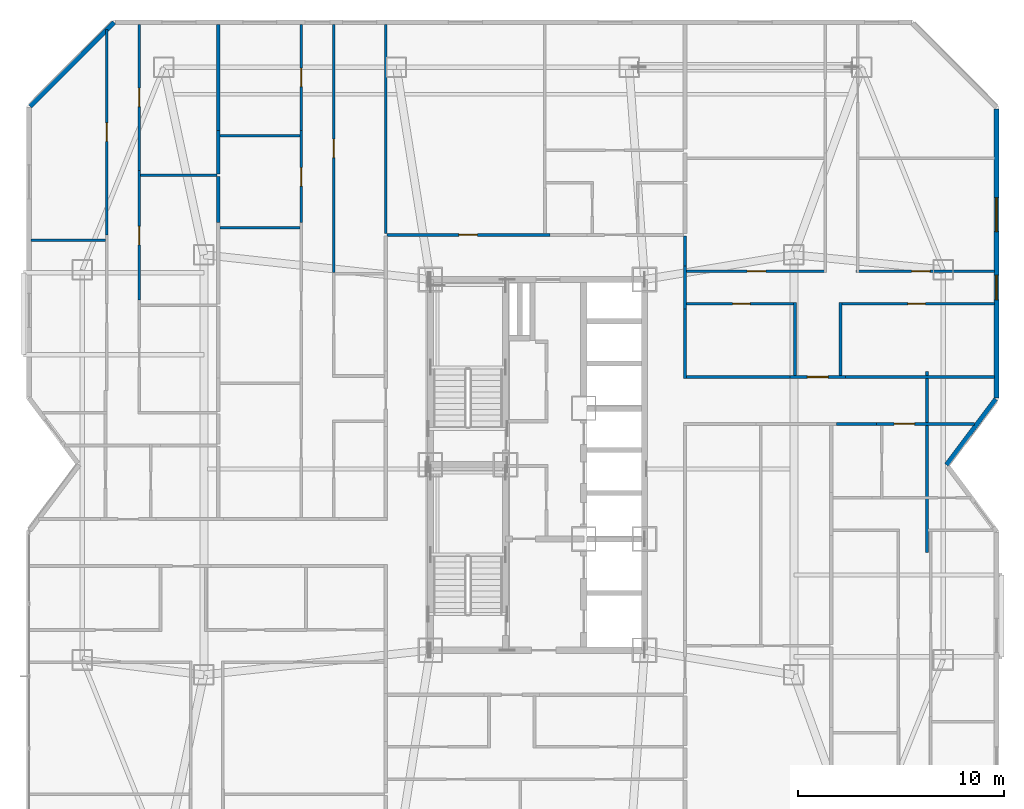
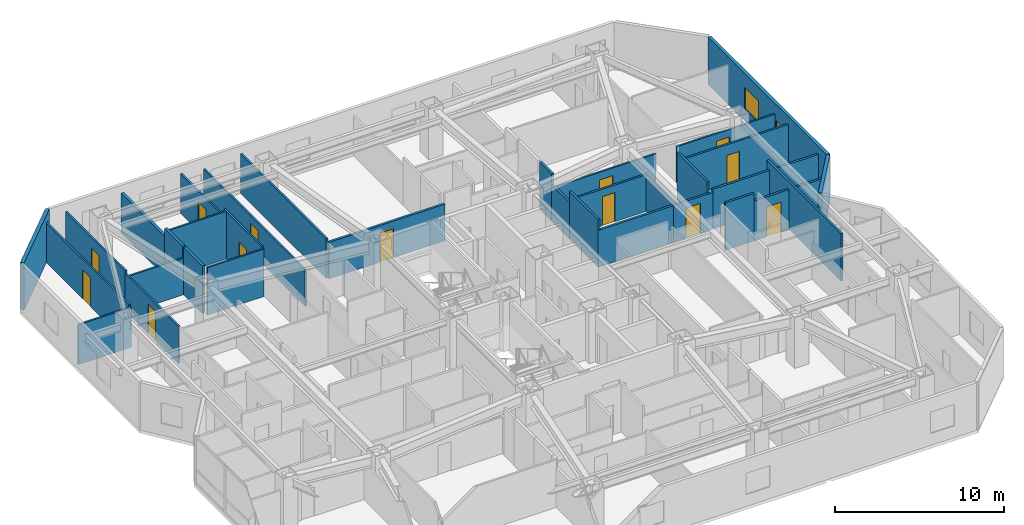
# One storey, part 15 of 19: 33 walls, 13 doors, 2 windows, 15 openings.
"""IFC4 building model written with IfcOpenShell, lengths in metres."""

from ifc_helpers import new_model, si_unit, direction, frame, frame_2d, origin, place, context, subcontext, project, spatial, rectangle, extrude, material, layer, layer_set, type_object, element, fill, save


model = new_model("IFC4")

# Units and contexts
model_context = context("Model", 3, precision=1e-05, world=origin(), true_north=direction((0.0, 1.0)))
body_context = subcontext(model_context, "Body", "Model", "MODEL_VIEW")
ifc_project = project(units=[si_unit("LENGTHUNIT", "METRE"), si_unit("AREAUNIT", "SQUARE_METRE"), si_unit("VOLUMEUNIT", "CUBIC_METRE"), si_unit("PLANEANGLEUNIT", "RADIAN"), si_unit("MASSUNIT", "GRAM", prefix="KILO")], contexts=[model_context])

# Site, building, storey
site_placement = place(None, origin())
site = spatial("IfcSite", under=ifc_project, at=site_placement, CompositionType="ELEMENT")
building_placement = place(site_placement, origin())
building = spatial("IfcBuilding", under=site, at=building_placement, Name="Khamvora Tower", CompositionType="ELEMENT")
storey_placement = place(building_placement, frame((0.0, 0.0, 120.14990234375)))
storey = spatial("IfcBuildingStorey", under=building, at=storey_placement, Name="L30", CompositionType="ELEMENT", Elevation=120.14990234375)

# Wall, opening, door
ifc_material_1 = material(Name="Fire-Rated Drywall and Steel Stud", Category="steel")
ifc_layer_1 = layer(ifc_material_1, 0.14990234375)
ifc_layer_set_1 = layer_set([ifc_layer_1], Name="Fire-Rated Drywall and Steel Stud")
wall_type_1 = type_object("IfcWallType", Name="WAL-CORR-150", PredefinedType="STANDARD", material=ifc_layer_set_1)
wall_1_placement = place(storey_placement, frame((26.89990234375, 39.1650390625, 0.0), z_axis=(0.0, 0.0, 1.0), x_axis=(1.0, 0.0, 0.0)))
wall_1 = element("IfcWall", 1, at=wall_1_placement, inside=storey, type_object=wall_type_1, Name="L30 interior partition wall 006", PredefinedType="STANDARD", context=body_context, shape_type="SweptSolid", body=[
    extrude(rectangle(XDim=7.9140625, YDim=0.14990234375, at=frame_2d((3.95703125, 0.0))), origin(), (0.0, 0.0, 1.0), 2.647216796875),
])
opening_1_placement = place(wall_1_placement, frame((3.486083984375, 0.0, 0.0)))
opening_1 = element("IfcOpeningElement", 2, at=opening_1_placement, cuts=wall_1, Name="Opening D-RM1", PredefinedType="OPENING", context=body_context, shape_type="SweptSolid", body=[
    extrude(rectangle(XDim=0.89990234375, YDim=2.10009765625, at=frame_2d((0.449951171875, 1.050048828125))), frame((0.0, 0.0849609375, 0.0), z_axis=(0.0, -1.0, 0.0), x_axis=(1.0, 0.0, 0.0)), (0.0, 0.0, 1.0), 0.169921875),
])
ifc_material_2 = material(Name="Powder-Coated Steel and Hardwood Leaf", Category="steel")
door_type_1 = type_object("IfcDoorType", Name="DOR-ROOM-900", OperationType="NOTDEFINED", PredefinedType="DOOR", material=ifc_material_2)
door_1_placement = place(opening_1_placement, origin())
door_1 = element("IfcDoor", 3, at=door_1_placement, inside=storey, type_object=door_type_1, Name="L30 interior door COR-RPLY", OperationType="SINGLE_SWING_LEFT", OverallHeight=2.10009765625, OverallWidth=0.89990234375, PredefinedType="DOOR", context=body_context, shape_type="SweptSolid", body=[
    extrude(rectangle(XDim=0.89990234375, YDim=2.10009765625, at=frame_2d((0.449951171875, 1.050048828125))), frame((0.0, 0.02490234375, 0.0), z_axis=(0.0, -1.0, 0.0), x_axis=(1.0, 0.0, 0.0)), (0.0, 0.0, 1.0), 0.050048828125),
])
fill(opening_1, door_1)

wall_2_placement = place(storey_placement, frame((55.424072265625, 29.985107421875, 0.0), z_axis=(0.0, 0.0, 1.0), x_axis=(-1.0, 0.0, 0.0)))
wall_2 = element("IfcWall", 4, at=wall_2_placement, inside=storey, type_object=wall_type_1, Name="L30 interior partition wall 034", PredefinedType="STANDARD", context=body_context, shape_type="SweptSolid", body=[
    extrude(rectangle(XDim=4.759033203125, YDim=0.14990234375, at=frame_2d((2.37939453125, 0.0))), origin(), (0.0, 0.0, 1.0), 2.8759765625),
])
opening_2_placement = place(wall_2_placement, frame((2.909912109375, 0.0, 0.0)))
opening_2 = element("IfcOpeningElement", 5, at=opening_2_placement, cuts=wall_2, Name="Opening D-U1", PredefinedType="OPENING", context=body_context, shape_type="SweptSolid", body=[
    extrude(rectangle(XDim=1.0, YDim=2.14990234375, at=frame_2d((0.5, 1.074951171875))), frame((0.0, 0.0849609375, 0.0), z_axis=(0.0, -1.0, 0.0), x_axis=(1.0, 0.0, 0.0)), (0.0, 0.0, 1.0), 0.169921875),
])
door_type_2 = type_object("IfcDoorType", Name="DOR-UNIT-1000", OperationType="NOTDEFINED", PredefinedType="DOOR", material=ifc_material_2)
door_2_placement = place(opening_2_placement, origin())
door_2 = element("IfcDoor", 6, at=door_2_placement, inside=storey, type_object=door_type_2, Name="L30 interior door COR-30EBH", OperationType="SINGLE_SWING_RIGHT", OverallHeight=2.14990234375, OverallWidth=1.0, PredefinedType="DOOR", context=body_context, shape_type="SweptSolid", body=[
    extrude(rectangle(XDim=1.0, YDim=2.14990234375, at=frame_2d((0.5, 1.074951171875))), frame((0.0, 0.02490234375, 0.0), z_axis=(0.0, -1.0, 0.0), x_axis=(1.0, 0.0, 0.0)), (0.0, 0.0, 1.0), 0.050048828125),
])
fill(opening_2, door_2)

# Walls
wall_3_placement = place(storey_placement, frame((50.6650390625, 29.985107421875, 0.0), z_axis=(0.0, 0.0, 1.0), x_axis=(-1.0, 0.0, 0.0)))
element("IfcWall", 7, at=wall_3_placement, inside=storey, type_object=wall_type_1, Name="L30 interior partition wall 035", PredefinedType="STANDARD", context=body_context, shape_type="SweptSolid", body=[
    extrude(rectangle(XDim=1.9560546875, YDim=0.14990234375, at=frame_2d((0.97802734375, 0.0))), origin(), (0.0, 0.0, 1.0), 3.43017578125),
])
wall_4_placement = place(storey_placement, frame((41.364990234375, 37.653076171875, 0.0), z_axis=(0.0, 0.0, 1.0), x_axis=(0.0, -1.0, 0.0)))
element("IfcWall", 8, at=wall_4_placement, inside=storey, type_object=wall_type_1, Name="L30 interior partition wall 036", PredefinedType="STANDARD", context=body_context, shape_type="SweptSolid", body=[
    extrude(rectangle(XDim=2.078125, YDim=0.14990234375, at=frame_2d((1.0390625, 0.0))), origin(), (0.0, 0.0, 1.0), 2.647216796875),
])

# Wall, opening, door
wall_5_placement = place(storey_placement, frame((46.4609375, 32.264892578125, 0.0), z_axis=(0.0, 0.0, 1.0), x_axis=(1.0, 0.0, 0.0)))
wall_5 = element("IfcWall", 9, at=wall_5_placement, inside=storey, type_object=wall_type_1, Name="L30 interior partition wall 037", PredefinedType="STANDARD", context=body_context, shape_type="SweptSolid", body=[
    extrude(rectangle(XDim=2.697998046875, YDim=0.14990234375, at=frame_2d((1.34912109375, 0.0))), origin(), (0.0, 0.0, 1.0), 2.647216796875),
])
opening_3_placement = place(wall_5_placement, frame((0.84912109375, 0.0, 0.0)))
opening_3 = element("IfcOpeningElement", 10, at=opening_3_placement, cuts=wall_5, Name="Opening D-U1", PredefinedType="OPENING", context=body_context, shape_type="SweptSolid", body=[
    extrude(rectangle(XDim=1.0, YDim=2.14990234375, at=frame_2d((0.5, 1.074951171875))), frame((0.0, 0.0849609375, 0.0), z_axis=(0.0, -1.0, 0.0), x_axis=(1.0, 0.0, 0.0)), (0.0, 0.0, 1.0), 0.169921875),
])
door_3_placement = place(opening_3_placement, origin())
door_3 = element("IfcDoor", 11, at=door_3_placement, inside=storey, type_object=door_type_2, Name="L30 interior door COR-30ECH", OperationType="SINGLE_SWING_LEFT", OverallHeight=2.14990234375, OverallWidth=1.0, PredefinedType="DOOR", context=body_context, shape_type="SweptSolid", body=[
    extrude(rectangle(XDim=1.0, YDim=2.14990234375, at=frame_2d((0.5, 1.074951171875))), frame((0.0, 0.02490234375, 0.0), z_axis=(0.0, -1.0, 0.0), x_axis=(1.0, 0.0, 0.0)), (0.0, 0.0, 1.0), 0.050048828125),
])
fill(opening_3, door_3)

# Walls
wall_6_placement = place(storey_placement, frame((41.364990234375, 35.574951171875, 0.0), z_axis=(0.0, 0.0, 1.0), x_axis=(0.0, -1.0, 0.0)))
element("IfcWall", 12, at=wall_6_placement, inside=storey, type_object=wall_type_1, Name="L30 interior partition wall 038", PredefinedType="STANDARD", context=body_context, shape_type="SweptSolid", body=[
    extrude(rectangle(XDim=3.375, YDim=0.14990234375, at=frame_2d((1.6875, 0.0))), origin(), (0.0, 0.0, 1.0), 3.43017578125),
])
wall_7_placement = place(storey_placement, frame((41.300048828125, 32.264892578125, 0.0), z_axis=(0.0, 0.0, 1.0), x_axis=(1.0, 0.0, 0.0)))
element("IfcWall", 13, at=wall_7_placement, inside=storey, type_object=wall_type_1, Name="L30 interior partition wall 039", PredefinedType="STANDARD", context=body_context, shape_type="SweptSolid", body=[
    extrude(rectangle(XDim=5.160888671875, YDim=0.14990234375, at=frame_2d((2.58056640625, 0.0))), origin(), (0.0, 0.0, 1.0), 2.647216796875),
])
wall_8_placement = place(storey_placement, frame((49.158935546875, 32.264892578125, 0.0), z_axis=(0.0, 0.0, 1.0), x_axis=(1.0, 0.0, 0.0)))
element("IfcWall", 14, at=wall_8_placement, inside=storey, type_object=wall_type_1, Name="L30 interior partition wall 040", PredefinedType="STANDARD", context=body_context, shape_type="SweptSolid", body=[
    extrude(rectangle(XDim=7.22900390625, YDim=0.14990234375, at=frame_2d((3.614501953125, 0.0))), origin(), (0.0, 0.0, 1.0), 2.8759765625),
])
wall_9_placement = place(storey_placement, frame((41.364990234375, 39.10009765625, 0.0), z_axis=(0.0, 0.0, 1.0), x_axis=(0.0, -1.0, 0.0)))
element("IfcWall", 15, at=wall_9_placement, inside=storey, type_object=wall_type_1, Name="L30 interior partition wall 041", PredefinedType="STANDARD", context=body_context, shape_type="SweptSolid", body=[
    extrude(rectangle(XDim=1.447021484375, YDim=0.14990234375, at=frame_2d((0.7236328125, 0.0))), origin(), (0.0, 0.0, 1.0), 3.43017578125),
])
ifc_material_3 = material(Name="Acoustic Double-Stud Fire Wall", Category="gypsum")
ifc_layer_2 = layer(ifc_material_3, 0.179931640625)
ifc_layer_set_2 = layer_set([ifc_layer_2], Name="Acoustic Double-Stud Fire Wall")
wall_type_2 = type_object("IfcWallType", Name="WAL-CORR-180", PredefinedType="STANDARD", material=ifc_layer_set_2)
wall_10_placement = place(storey_placement, frame((18.705078125, 41.989013671875, 0.0), z_axis=(0.0, 0.0, 1.0), x_axis=(0.0, -1.0, 0.0)))
element("IfcWall", 16, at=wall_10_placement, inside=storey, type_object=wall_type_2, Name="L30 interior partition wall 083", PredefinedType="STANDARD", context=body_context, shape_type="SweptSolid", body=[
    extrude(rectangle(XDim=2.222900390625, YDim=0.179931640625, at=frame_2d((1.111328125, 0.0))), origin(), (0.0, 0.0, 1.0), 3.43017578125),
])
wall_11_placement = place(storey_placement, frame((18.705078125, 44.238037109375, 0.0), z_axis=(0.0, 0.0, 1.0), x_axis=(0.0, -1.0, 0.0)))
element("IfcWall", 17, at=wall_11_placement, inside=storey, type_object=wall_type_2, Name="L30 interior partition wall 084", PredefinedType="STANDARD", context=body_context, shape_type="SweptSolid", body=[
    extrude(rectangle(XDim=2.119140625, YDim=0.179931640625, at=frame_2d((1.0595703125, 0.0))), origin(), (0.0, 0.0, 1.0), 3.43017578125),
])
wall_12_placement = place(storey_placement, frame((18.705078125, 49.387939453125, 0.0), z_axis=(0.0, 0.0, 1.0), x_axis=(0.0, -1.0, 0.0)))
element("IfcWall", 18, at=wall_12_placement, inside=storey, type_object=wall_type_2, Name="L30 interior partition wall 085", PredefinedType="STANDARD", context=body_context, shape_type="SweptSolid", body=[
    extrude(rectangle(XDim=5.14990234375, YDim=0.179931640625, at=frame_2d((2.574951171875, 0.0))), origin(), (0.0, 0.0, 1.0), 2.8759765625),
])
ifc_material_4 = material(Name="Precast concrete C40/50", Category="concrete")
ifc_layer_3 = layer(ifc_material_4, 0.219970703125)
ifc_layer_set_3 = layer_set([ifc_layer_3], Name="Precast concrete C40/50")
wall_type_3 = type_object("IfcWallType", Name="WAL-EXT-220", PredefinedType="STANDARD", material=ifc_layer_set_3)
wall_13_placement = place(storey_placement, frame((9.55810546875, 45.402099609375, 0.0), z_axis=(0.0, 0.0, 1.0), x_axis=(0.707106781187, 0.707106781187, 0.0)))
element("IfcWall", 19, at=wall_13_placement, inside=storey, type_object=wall_type_3, Name="L30 exterior facade wall 06.1", PredefinedType="STANDARD", context=body_context, shape_type="SweptSolid", body=[
    extrude(rectangle(XDim=5.78125, YDim=0.219970703125, at=frame_2d((2.890625, 0.0))), origin(), (0.0, 0.0, 1.0), 3.43017578125),
])

# Wall, openings, windows
wall_14_placement = place(storey_placement, frame((56.489990234375, 45.282958984375, 0.0), z_axis=(0.0, 0.0, 1.0), x_axis=(0.0, -1.0, 0.0)))
wall_14 = element("IfcWall", 20, at=wall_14_placement, inside=storey, type_object=wall_type_3, Name="L30 exterior facade wall 09.1", PredefinedType="STANDARD", context=body_context, shape_type="SweptSolid", body=[
    extrude(rectangle(XDim=14.0458984375, YDim=0.219970703125, at=frame_2d((7.02294921875, 0.0))), origin(), (0.0, 0.0, 1.0), 3.43017578125),
])
opening_4_placement = place(wall_14_placement, frame((8.069091796875, 0.0, 0.800048828125)))
opening_4 = element("IfcOpeningElement", 21, at=opening_4_placement, cuts=wall_14, Name="Opening WN-03", PredefinedType="OPENING", context=body_context, shape_type="SweptSolid", body=[
    extrude(rectangle(XDim=1.199951171875, YDim=1.5, at=frame_2d((0.60009765625, 0.75))), frame((0.0, 0.119873046875, 0.0), z_axis=(0.0, -1.0, 0.0), x_axis=(1.0, 0.0, 0.0)), (0.0, 0.0, 1.0), 0.239990234375),
])
opening_5_placement = place(wall_14_placement, frame((4.31396484375, 0.0, 0.85009765625)))
opening_5 = element("IfcOpeningElement", 22, at=opening_5_placement, cuts=wall_14, Name="Opening WN-06", PredefinedType="OPENING", context=body_context, shape_type="SweptSolid", body=[
    extrude(rectangle(XDim=1.64990234375, YDim=1.550048828125, at=frame_2d((0.824951171875, 0.77490234375))), frame((0.0, 0.119873046875, 0.0), z_axis=(0.0, -1.0, 0.0), x_axis=(1.0, 0.0, 0.0)), (0.0, 0.0, 1.0), 0.239990234375),
])
ifc_material_5 = material(Name="Low-E Laminated Double Glazing", Category="glass")
window_type_1 = type_object("IfcWindowType", Name="WIN-VIS-1200x1500", PartitioningType="SINGLE_PANEL", PredefinedType="WINDOW", material=ifc_material_5)
window_1_placement = place(opening_4_placement, origin())
window_1 = element("IfcWindow", 23, at=window_1_placement, inside=storey, type_object=window_type_1, Name="L30 vision window 09.1.01", OverallHeight=1.5, OverallWidth=1.199951171875, PartitioningType="SINGLE_PANEL", PredefinedType="WINDOW", context=body_context, shape_type="SweptSolid", body=[
    extrude(rectangle(XDim=1.199951171875, YDim=1.5, at=frame_2d((0.60009765625, 0.75))), frame((0.0, 0.030029296875, 0.0), z_axis=(0.0, -1.0, 0.0), x_axis=(1.0, 0.0, 0.0)), (0.0, 0.0, 1.0), 0.06005859375),
])
fill(opening_4, window_1)
window_type_2 = type_object("IfcWindowType", Name="WIN-VIS-1650x1550", PartitioningType="SINGLE_PANEL", PredefinedType="WINDOW", material=ifc_material_5)
window_2_placement = place(opening_5_placement, origin())
window_2 = element("IfcWindow", 24, at=window_2_placement, inside=storey, type_object=window_type_2, Name="L30 vision window 09.1.02", OverallHeight=1.550048828125, OverallWidth=1.64990234375, PartitioningType="SINGLE_PANEL", PredefinedType="WINDOW", context=body_context, shape_type="SweptSolid", body=[
    extrude(rectangle(XDim=1.64990234375, YDim=1.550048828125, at=frame_2d((0.824951171875, 0.77490234375))), frame((0.0, 0.030029296875, 0.0), z_axis=(0.0, -1.0, 0.0), x_axis=(1.0, 0.0, 0.0)), (0.0, 0.0, 1.0), 0.06005859375),
])
fill(opening_5, window_2)

# Walls
wall_15_placement = place(storey_placement, frame((56.4560546875, 31.19091796875, 0.0), z_axis=(0.0, 0.0, 1.0), x_axis=(-0.600137081448, -0.799897170561, 0.0)))
element("IfcWall", 25, at=wall_15_placement, inside=storey, type_object=wall_type_3, Name="L30 exterior facade wall 10.1", PredefinedType="STANDARD", context=body_context, shape_type="SweptSolid", body=[
    extrude(rectangle(XDim=3.9892578125, YDim=0.219970703125, at=frame_2d((1.99462890625, 0.0))), origin(), (0.0, 0.0, 1.0), 3.43017578125),
])
ifc_material_6 = material(Name="Gypsum Plasterboard Partition", Category="gypsum")
ifc_layer_4 = layer(ifc_material_6, 0.1201171875)
ifc_layer_set_4 = layer_set([ifc_layer_4], Name="Gypsum Plasterboard Partition")
wall_type_4 = type_object("IfcWallType", Name="WAL-PART-120", PredefinedType="PARTITIONING", material=ifc_layer_set_4)
wall_16_placement = place(storey_placement, frame((26.8349609375, 39.22998046875, 0.0), z_axis=(0.0, 0.0, 1.0), x_axis=(0.0, 1.0, 0.0)))
element("IfcWall", 26, at=wall_16_placement, inside=storey, type_object=wall_type_4, Name="L30 interior partition wall 042", PredefinedType="PARTITIONING", context=body_context, shape_type="SweptSolid", body=[
    extrude(rectangle(XDim=10.157958984375, YDim=0.1201171875, at=frame_2d((5.0791015625, 0.0))), origin(), (0.0, 0.0, 1.0), 2.8759765625),
])

# Wall, opening, door
wall_17_placement = place(storey_placement, frame((13.2900390625, 39.1630859375, 0.0), z_axis=(0.0, 0.0, 1.0), x_axis=(0.0, 1.0, 0.0)))
wall_17 = element("IfcWall", 27, at=wall_17_placement, inside=storey, type_object=wall_type_4, Name="L30 interior partition wall 070", PredefinedType="PARTITIONING", context=body_context, shape_type="SweptSolid", body=[
    extrude(rectangle(XDim=9.97998046875, YDim=0.1201171875, at=frame_2d((4.989990234375, 0.0))), origin(), (0.0, 0.0, 1.0), 2.8759765625),
])
opening_6_placement = place(wall_17_placement, frame((4.5400390625, 0.0, 0.0)))
opening_6 = element("IfcOpeningElement", 28, at=opening_6_placement, cuts=wall_17, Name="Opening D-RM1", PredefinedType="OPENING", context=body_context, shape_type="SweptSolid", body=[
    extrude(rectangle(XDim=0.89990234375, YDim=2.10009765625, at=frame_2d((0.449951171875, 1.050048828125))), frame((0.0, 0.070068359375, 0.0), z_axis=(0.0, -1.0, 0.0), x_axis=(1.0, 0.0, 0.0)), (0.0, 0.0, 1.0), 0.14013671875),
])
door_4_placement = place(opening_6_placement, origin())
door_4 = element("IfcDoor", 29, at=door_4_placement, inside=storey, type_object=door_type_1, Name="L30 interior door 30WBH-30WBR2", OperationType="SINGLE_SWING_RIGHT", OverallHeight=2.10009765625, OverallWidth=0.89990234375, PredefinedType="DOOR", context=body_context, shape_type="SweptSolid", body=[
    extrude(rectangle(XDim=0.89990234375, YDim=2.10009765625, at=frame_2d((0.449951171875, 1.050048828125))), frame((0.0, 0.02490234375, 0.0), z_axis=(0.0, -1.0, 0.0), x_axis=(1.0, 0.0, 0.0)), (0.0, 0.0, 1.0), 0.050048828125),
])
fill(opening_6, door_4)

wall_18_placement = place(storey_placement, frame((14.860107421875, 42.302978515625, 0.0), z_axis=(0.0, 0.0, 1.0), x_axis=(0.0, -1.0, 0.0)))
wall_18 = element("IfcWall", 30, at=wall_18_placement, inside=storey, type_object=wall_type_4, Name="L30 interior partition wall 073", PredefinedType="PARTITIONING", context=body_context, shape_type="SweptSolid", body=[
    extrude(rectangle(XDim=6.300048828125, YDim=0.1201171875, at=frame_2d((3.14990234375, 0.0))), origin(), (0.0, 0.0, 1.0), 2.68701171875),
])
opening_7_placement = place(wall_18_placement, frame((2.720947265625, 0.0, 0.0)))
opening_7 = element("IfcOpeningElement", 31, at=opening_7_placement, cuts=wall_18, Name="Opening D-RM1", PredefinedType="OPENING", context=body_context, shape_type="SweptSolid", body=[
    extrude(rectangle(XDim=0.89990234375, YDim=2.10009765625, at=frame_2d((0.449951171875, 1.050048828125))), frame((0.0, 0.070068359375, 0.0), z_axis=(0.0, -1.0, 0.0), x_axis=(1.0, 0.0, 0.0)), (0.0, 0.0, 1.0), 0.14013671875),
])
door_5_placement = place(opening_7_placement, origin())
door_5 = element("IfcDoor", 32, at=door_5_placement, inside=storey, type_object=door_type_1, Name="L30 interior door 30WBH-30WBR4", OperationType="SINGLE_SWING_RIGHT", OverallHeight=2.10009765625, OverallWidth=0.89990234375, PredefinedType="DOOR", context=body_context, shape_type="SweptSolid", body=[
    extrude(rectangle(XDim=0.89990234375, YDim=2.10009765625, at=frame_2d((0.449951171875, 1.050048828125))), frame((0.0, 0.02490234375, 0.0), z_axis=(0.0, -1.0, 0.0), x_axis=(1.0, 0.0, 0.0)), (0.0, 0.0, 1.0), 0.050048828125),
])
fill(opening_7, door_5)

wall_19_placement = place(storey_placement, frame((14.860107421875, 49.387939453125, 0.0), z_axis=(0.0, 0.0, 1.0), x_axis=(0.0, -1.0, 0.0)))
wall_19 = element("IfcWall", 33, at=wall_19_placement, inside=storey, type_object=wall_type_4, Name="L30 interior partition wall 074", PredefinedType="PARTITIONING", context=body_context, shape_type="SweptSolid", body=[
    extrude(rectangle(XDim=7.0849609375, YDim=0.1201171875, at=frame_2d((3.54248046875, 0.0))), origin(), (0.0, 0.0, 1.0), 2.8759765625),
])
opening_8_placement = place(wall_19_placement, frame((3.092041015625, 0.0, 0.0)))
opening_8 = element("IfcOpeningElement", 34, at=opening_8_placement, cuts=wall_19, Name="Opening D-RM1", PredefinedType="OPENING", context=body_context, shape_type="SweptSolid", body=[
    extrude(rectangle(XDim=0.89990234375, YDim=2.10009765625, at=frame_2d((0.449951171875, 1.050048828125))), frame((0.0, 0.070068359375, 0.0), z_axis=(0.0, -1.0, 0.0), x_axis=(1.0, 0.0, 0.0)), (0.0, 0.0, 1.0), 0.14013671875),
])
door_6_placement = place(opening_8_placement, origin())
door_6 = element("IfcDoor", 35, at=door_6_placement, inside=storey, type_object=door_type_1, Name="L30 interior door 30WBH-30WBR5", OperationType="SINGLE_SWING_RIGHT", OverallHeight=2.10009765625, OverallWidth=0.89990234375, PredefinedType="DOOR", context=body_context, shape_type="SweptSolid", body=[
    extrude(rectangle(XDim=0.89990234375, YDim=2.10009765625, at=frame_2d((0.449951171875, 1.050048828125))), frame((0.0, 0.02490234375, 0.0), z_axis=(0.0, -1.0, 0.0), x_axis=(1.0, 0.0, 0.0)), (0.0, 0.0, 1.0), 0.050048828125),
])
fill(opening_8, door_6)

# Walls
wall_20_placement = place(storey_placement, frame((9.612060546875, 38.9140625, 0.0), z_axis=(0.0, 0.0, 1.0), x_axis=(1.0, 0.0, 0.0)))
element("IfcWall", 36, at=wall_20_placement, inside=storey, type_object=wall_type_4, Name="L30 interior partition wall 077", PredefinedType="PARTITIONING", context=body_context, shape_type="SweptSolid", body=[
    extrude(rectangle(XDim=3.6240234375, YDim=0.1201171875, at=frame_2d((1.81201171875, 0.0))), origin(), (0.0, 0.0, 1.0), 2.8759765625),
])
wall_21_placement = place(storey_placement, frame((14.9140625, 42.053955078125, 0.0), z_axis=(0.0, 0.0, 1.0), x_axis=(1.0, 0.0, 0.0)))
element("IfcWall", 37, at=wall_21_placement, inside=storey, type_object=wall_type_4, Name="L30 interior partition wall 081", PredefinedType="PARTITIONING", context=body_context, shape_type="SweptSolid", body=[
    extrude(rectangle(XDim=3.725830078125, YDim=0.1201171875, at=frame_2d((1.86279296875, 0.0))), origin(), (0.0, 0.0, 1.0), 2.647216796875),
])

# Wall, opening, door
wall_22_placement = place(storey_placement, frame((24.304931640625, 37.345947265625, 0.0), z_axis=(0.0, 0.0, 1.0), x_axis=(0.0, 1.0, 0.0)))
wall_22 = element("IfcWall", 38, at=wall_22_placement, inside=storey, type_object=wall_type_4, Name="L30 interior partition wall 086", PredefinedType="PARTITIONING", context=body_context, shape_type="SweptSolid", body=[
    extrude(rectangle(XDim=12.0419921875, YDim=0.1201171875, at=frame_2d((6.02099609375, 0.0))), origin(), (0.0, 0.0, 1.0), 2.647216796875),
])
opening_9_placement = place(wall_22_placement, frame((5.571044921875, 0.0, 0.0)))
opening_9 = element("IfcOpeningElement", 39, at=opening_9_placement, cuts=wall_22, Name="Opening D-RM1", PredefinedType="OPENING", context=body_context, shape_type="SweptSolid", body=[
    extrude(rectangle(XDim=0.89990234375, YDim=2.10009765625, at=frame_2d((0.449951171875, 1.050048828125))), frame((0.0, 0.070068359375, 0.0), z_axis=(0.0, -1.0, 0.0), x_axis=(1.0, 0.0, 0.0)), (0.0, 0.0, 1.0), 0.14013671875),
])
door_7_placement = place(opening_9_placement, origin())
door_7 = element("IfcDoor", 40, at=door_7_placement, inside=storey, type_object=door_type_1, Name="L30 interior door 30WCW2-30WCH", OperationType="SINGLE_SWING_RIGHT", OverallHeight=2.10009765625, OverallWidth=0.89990234375, PredefinedType="DOOR", context=body_context, shape_type="SweptSolid", body=[
    extrude(rectangle(XDim=0.89990234375, YDim=2.10009765625, at=frame_2d((0.449951171875, 1.050048828125))), frame((0.0, 0.02490234375, 0.0), z_axis=(0.0, -1.0, 0.0), x_axis=(1.0, 0.0, 0.0)), (0.0, 0.0, 1.0), 0.050048828125),
])
fill(opening_9, door_7)

wall_23_placement = place(storey_placement, frame((22.72509765625, 39.76611328125, 0.0), z_axis=(0.0, 0.0, 1.0), x_axis=(0.0, 1.0, 0.0)))
wall_23 = element("IfcWall", 41, at=wall_23_placement, inside=storey, type_object=wall_type_4, Name="L30 interior partition wall 094", PredefinedType="PARTITIONING", context=body_context, shape_type="SweptSolid", body=[
    extrude(rectangle(XDim=4.471923828125, YDim=0.1201171875, at=frame_2d((2.23583984375, 0.0))), origin(), (0.0, 0.0, 1.0), 3.43017578125),
])
opening_10_placement = place(wall_23_placement, frame((1.764892578125, 0.0, 0.0)))
opening_10 = element("IfcOpeningElement", 42, at=opening_10_placement, cuts=wall_23, Name="Opening D-RM1", PredefinedType="OPENING", context=body_context, shape_type="SweptSolid", body=[
    extrude(rectangle(XDim=0.89990234375, YDim=2.10009765625, at=frame_2d((0.449951171875, 1.050048828125))), frame((0.0, 0.070068359375, 0.0), z_axis=(0.0, -1.0, 0.0), x_axis=(1.0, 0.0, 0.0)), (0.0, 0.0, 1.0), 0.14013671875),
])
door_8_placement = place(opening_10_placement, origin())
door_8 = element("IfcDoor", 43, at=door_8_placement, inside=storey, type_object=door_type_1, Name="L30 interior door 30WCH-30WCR3", OperationType="SINGLE_SWING_LEFT", OverallHeight=2.10009765625, OverallWidth=0.89990234375, PredefinedType="DOOR", context=body_context, shape_type="SweptSolid", body=[
    extrude(rectangle(XDim=0.89990234375, YDim=2.10009765625, at=frame_2d((0.449951171875, 1.050048828125))), frame((0.0, 0.02490234375, 0.0), z_axis=(0.0, -1.0, 0.0), x_axis=(1.0, 0.0, 0.0)), (0.0, 0.0, 1.0), 0.050048828125),
])
fill(opening_10, door_8)

wall_24_placement = place(storey_placement, frame((22.72509765625, 44.238037109375, 0.0), z_axis=(0.0, 0.0, 1.0), x_axis=(0.0, 1.0, 0.0)))
wall_24 = element("IfcWall", 44, at=wall_24_placement, inside=storey, type_object=wall_type_4, Name="L30 interior partition wall 095", PredefinedType="PARTITIONING", context=body_context, shape_type="SweptSolid", body=[
    extrude(rectangle(XDim=5.14990234375, YDim=0.1201171875, at=frame_2d((2.574951171875, 0.0))), origin(), (0.0, 0.0, 1.0), 2.8759765625),
])
opening_11_placement = place(wall_24_placement, frame((2.125, 0.0, 0.0)))
opening_11 = element("IfcOpeningElement", 45, at=opening_11_placement, cuts=wall_24, Name="Opening D-RM1", PredefinedType="OPENING", context=body_context, shape_type="SweptSolid", body=[
    extrude(rectangle(XDim=0.89990234375, YDim=2.10009765625, at=frame_2d((0.449951171875, 1.050048828125))), frame((0.0, 0.070068359375, 0.0), z_axis=(0.0, -1.0, 0.0), x_axis=(1.0, 0.0, 0.0)), (0.0, 0.0, 1.0), 0.14013671875),
])
door_9_placement = place(opening_11_placement, origin())
door_9 = element("IfcDoor", 46, at=door_9_placement, inside=storey, type_object=door_type_1, Name="L30 interior door 30WCH-30WCR4", OperationType="SINGLE_SWING_RIGHT", OverallHeight=2.10009765625, OverallWidth=0.89990234375, PredefinedType="DOOR", context=body_context, shape_type="SweptSolid", body=[
    extrude(rectangle(XDim=0.89990234375, YDim=2.10009765625, at=frame_2d((0.449951171875, 1.050048828125))), frame((0.0, 0.02490234375, 0.0), z_axis=(0.0, -1.0, 0.0), x_axis=(1.0, 0.0, 0.0)), (0.0, 0.0, 1.0), 0.050048828125),
])
fill(opening_11, door_9)

# Walls
for number, where, z_axis, x_axis, name in (
    (47, (18.787109375, 39.51708984375, 0.0), (0.0, 0.0, 1.0), (1.0, 0.0, 0.0), "L30 interior partition wall 097"),
    (48, (18.787109375, 43.989013671875, 0.0), (0.0, 0.0, 1.0), (1.0, 0.0, 0.0), "L30 interior partition wall 098"),
):
    element("IfcWall", number, at=place(storey_placement, frame(where, z_axis=z_axis, x_axis=x_axis)), inside=storey, type_object=wall_type_4, Name=name, PredefinedType="PARTITIONING", context=body_context, shape_type="SweptSolid", body=[
        extrude(rectangle(XDim=3.8837890625, YDim=0.1201171875, at=frame_2d((1.94189453125, 0.0))), origin(), (0.0, 0.0, 1.0), 3.43017578125),
    ])

# Wall, opening, door
wall_25_placement = place(storey_placement, frame((41.431884765625, 37.404052734375, 0.0), z_axis=(0.0, 0.0, 1.0), x_axis=(1.0, 0.0, 0.0)))
wall_25 = element("IfcWall", 49, at=wall_25_placement, inside=storey, type_object=wall_type_4, Name="L30 interior partition wall 146", PredefinedType="PARTITIONING", context=body_context, shape_type="SweptSolid", body=[
    extrude(rectangle(XDim=6.80810546875, YDim=0.1201171875, at=frame_2d((3.404052734375, 0.0))), origin(), (0.0, 0.0, 1.0), 2.647216796875),
])
opening_12_placement = place(wall_25_placement, frame((2.9541015625, 0.0, 0.0)))
opening_12 = element("IfcOpeningElement", 50, at=opening_12_placement, cuts=wall_25, Name="Opening D-RM1", PredefinedType="OPENING", context=body_context, shape_type="SweptSolid", body=[
    extrude(rectangle(XDim=0.89990234375, YDim=2.10009765625, at=frame_2d((0.449951171875, 1.050048828125))), frame((0.0, 0.070068359375, 0.0), z_axis=(0.0, -1.0, 0.0), x_axis=(1.0, 0.0, 0.0)), (0.0, 0.0, 1.0), 0.14013671875),
])
door_10_placement = place(opening_12_placement, origin())
door_10 = element("IfcDoor", 51, at=door_10_placement, inside=storey, type_object=door_type_1, Name="L30 interior door 30ECH-30ECR1", OperationType="SINGLE_SWING_LEFT", OverallHeight=2.10009765625, OverallWidth=0.89990234375, PredefinedType="DOOR", context=body_context, shape_type="SweptSolid", body=[
    extrude(rectangle(XDim=0.89990234375, YDim=2.10009765625, at=frame_2d((0.449951171875, 1.050048828125))), frame((0.0, 0.02490234375, 0.0), z_axis=(0.0, -1.0, 0.0), x_axis=(1.0, 0.0, 0.0)), (0.0, 0.0, 1.0), 0.050048828125),
])
fill(opening_12, door_10)

wall_26_placement = place(storey_placement, frame((49.679931640625, 37.404052734375, 0.0), z_axis=(0.0, 0.0, 1.0), x_axis=(1.0, 0.0, 0.0)))
wall_26 = element("IfcWall", 52, at=wall_26_placement, inside=storey, type_object=wall_type_4, Name="L30 interior partition wall 150", PredefinedType="PARTITIONING", context=body_context, shape_type="SweptSolid", body=[
    extrude(rectangle(XDim=6.7080078125, YDim=0.1201171875, at=frame_2d((3.35400390625, 0.0))), origin(), (0.0, 0.0, 1.0), 2.647216796875),
])
opening_13_placement = place(wall_26_placement, frame((2.68603515625, 0.0, 0.0)))
opening_13 = element("IfcOpeningElement", 53, at=opening_13_placement, cuts=wall_26, Name="Opening D-RM1", PredefinedType="OPENING", context=body_context, shape_type="SweptSolid", body=[
    extrude(rectangle(XDim=0.89990234375, YDim=2.10009765625, at=frame_2d((0.449951171875, 1.050048828125))), frame((0.0, 0.070068359375, 0.0), z_axis=(0.0, -1.0, 0.0), x_axis=(1.0, 0.0, 0.0)), (0.0, 0.0, 1.0), 0.14013671875),
])
door_11_placement = place(opening_13_placement, origin())
door_11 = element("IfcDoor", 54, at=door_11_placement, inside=storey, type_object=door_type_1, Name="L30 interior door 30ECH-30ECR3", OperationType="SINGLE_SWING_LEFT", OverallHeight=2.10009765625, OverallWidth=0.89990234375, PredefinedType="DOOR", context=body_context, shape_type="SweptSolid", body=[
    extrude(rectangle(XDim=0.89990234375, YDim=2.10009765625, at=frame_2d((0.449951171875, 1.050048828125))), frame((0.0, 0.02490234375, 0.0), z_axis=(0.0, -1.0, 0.0), x_axis=(1.0, 0.0, 0.0)), (0.0, 0.0, 1.0), 0.050048828125),
])
fill(opening_13, door_11)

# Walls
ifc_material_7 = material(Name="Moisture-Resistant Plasterboard Partition", Category="gypsum")
ifc_layer_5 = layer(ifc_material_7, 0.135009765625)
ifc_layer_set_5 = layer_set([ifc_layer_5], Name="Moisture-Resistant Plasterboard Partition")
wall_type_5 = type_object("IfcWallType", Name="WAL-WET-135", PredefinedType="PARTITIONING", material=ifc_layer_set_5)
wall_27_placement = place(storey_placement, frame((53.114013671875, 32.52001953125, 0.0), z_axis=(0.0, 0.0, 1.0), x_axis=(0.0, -1.0, 0.0)))
element("IfcWall", 55, at=wall_27_placement, inside=storey, type_object=wall_type_5, Name="L30 interior partition wall 130", PredefinedType="PARTITIONING", context=body_context, shape_type="SweptSolid", body=[
    extrude(rectangle(XDim=8.780029296875, YDim=0.135009765625, at=frame_2d((4.39013671875, 0.0))), origin(), (0.0, 0.0, 1.0), 3.43017578125),
])
wall_28_placement = place(storey_placement, frame((46.7099609375, 32.33203125, 0.0), z_axis=(0.0, 0.0, 1.0), x_axis=(0.0, 1.0, 0.0)))
element("IfcWall", 56, at=wall_28_placement, inside=storey, type_object=wall_type_5, Name="L30 interior partition wall 142", PredefinedType="PARTITIONING", context=body_context, shape_type="SweptSolid", body=[
    extrude(rectangle(XDim=3.556884765625, YDim=0.135009765625, at=frame_2d((1.7783203125, 0.0))), origin(), (0.0, 0.0, 1.0), 2.647216796875),
])

# Wall, opening, door
wall_29_placement = place(storey_placement, frame((46.77490234375, 35.823974609375, 0.0), z_axis=(0.0, 0.0, 1.0), x_axis=(-1.0, 0.0, 0.0)))
wall_29 = element("IfcWall", 57, at=wall_29_placement, inside=storey, type_object=wall_type_5, Name="L30 interior partition wall 143", PredefinedType="PARTITIONING", context=body_context, shape_type="SweptSolid", body=[
    extrude(rectangle(XDim=5.343017578125, YDim=0.135009765625, at=frame_2d((2.67138671875, 0.0))), origin(), (0.0, 0.0, 1.0), 2.647216796875),
])
opening_14_placement = place(wall_29_placement, frame((2.2470703125, 0.0, 0.0)))
opening_14 = element("IfcOpeningElement", 58, at=opening_14_placement, cuts=wall_29, Name="Opening D-WC1", PredefinedType="OPENING", context=body_context, shape_type="SweptSolid", body=[
    extrude(rectangle(XDim=0.85009765625, YDim=2.10009765625, at=frame_2d((0.425048828125, 1.050048828125))), frame((0.0, 0.077392578125, 0.0), z_axis=(0.0, -1.0, 0.0), x_axis=(1.0, 0.0, 0.0)), (0.0, 0.0, 1.0), 0.155029296875),
])
door_type_3 = type_object("IfcDoorType", Name="DOR-WET-850", OperationType="NOTDEFINED", PredefinedType="DOOR", material=ifc_material_2)
door_12_placement = place(opening_14_placement, origin())
door_12 = element("IfcDoor", 59, at=door_12_placement, inside=storey, type_object=door_type_3, Name="L30 interior door 30ECH-30ECB", OperationType="SINGLE_SWING_LEFT", OverallHeight=2.10009765625, OverallWidth=0.85009765625, PredefinedType="DOOR", context=body_context, shape_type="SweptSolid", body=[
    extrude(rectangle(XDim=0.85009765625, YDim=2.10009765625, at=frame_2d((0.425048828125, 1.050048828125))), frame((0.0, 0.02490234375, 0.0), z_axis=(0.0, -1.0, 0.0), x_axis=(1.0, 0.0, 0.0)), (0.0, 0.0, 1.0), 0.050048828125),
])
fill(opening_14, door_12)

wall_30_placement = place(storey_placement, frame((56.387939453125, 35.823974609375, 0.0), z_axis=(0.0, 0.0, 1.0), x_axis=(-1.0, 0.0, 0.0)))
wall_30 = element("IfcWall", 60, at=wall_30_placement, inside=storey, type_object=wall_type_5, Name="L30 interior partition wall 144", PredefinedType="PARTITIONING", context=body_context, shape_type="SweptSolid", body=[
    extrude(rectangle(XDim=7.54296875, YDim=0.135009765625, at=frame_2d((3.771484375, 0.0))), origin(), (0.0, 0.0, 1.0), 2.8759765625),
])
opening_15_placement = place(wall_30_placement, frame((3.346923828125, 0.0, 0.0)))
opening_15 = element("IfcOpeningElement", 61, at=opening_15_placement, cuts=wall_30, Name="Opening D-RM2", PredefinedType="OPENING", context=body_context, shape_type="SweptSolid", body=[
    extrude(rectangle(XDim=0.85009765625, YDim=2.10009765625, at=frame_2d((0.425048828125, 1.050048828125))), frame((0.0, 0.077392578125, 0.0), z_axis=(0.0, -1.0, 0.0), x_axis=(1.0, 0.0, 0.0)), (0.0, 0.0, 1.0), 0.155029296875),
])
door_type_4 = type_object("IfcDoorType", Name="DOR-ROOM-850", OperationType="NOTDEFINED", PredefinedType="DOOR", material=ifc_material_2)
door_13_placement = place(opening_15_placement, origin())
door_13 = element("IfcDoor", 62, at=door_13_placement, inside=storey, type_object=door_type_4, Name="L30 interior door 30ECH-30ECK", OperationType="SINGLE_SWING_RIGHT", OverallHeight=2.10009765625, OverallWidth=0.85009765625, PredefinedType="DOOR", context=body_context, shape_type="SweptSolid", body=[
    extrude(rectangle(XDim=0.85009765625, YDim=2.10009765625, at=frame_2d((0.425048828125, 1.050048828125))), frame((0.0, 0.02490234375, 0.0), z_axis=(0.0, -1.0, 0.0), x_axis=(1.0, 0.0, 0.0)), (0.0, 0.0, 1.0), 0.050048828125),
])
fill(opening_15, door_13)

# Wall
wall_31_placement = place(storey_placement, frame((48.909912109375, 35.888916015625, 0.0), z_axis=(0.0, 0.0, 1.0), x_axis=(0.0, -1.0, 0.0)))
element("IfcWall", 63, at=wall_31_placement, inside=storey, type_object=wall_type_5, Name="L30 interior partition wall 145", PredefinedType="PARTITIONING", context=body_context, shape_type="SweptSolid", body=[
    extrude(rectangle(XDim=3.556884765625, YDim=0.135009765625, at=frame_2d((1.7783203125, 0.0))), origin(), (0.0, 0.0, 1.0), 3.43017578125),
])

save(model, "model.ifc")
